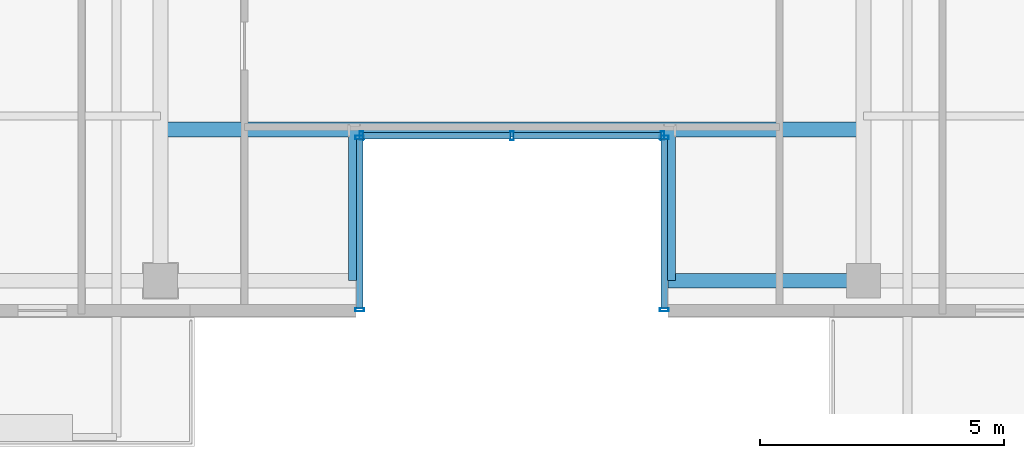
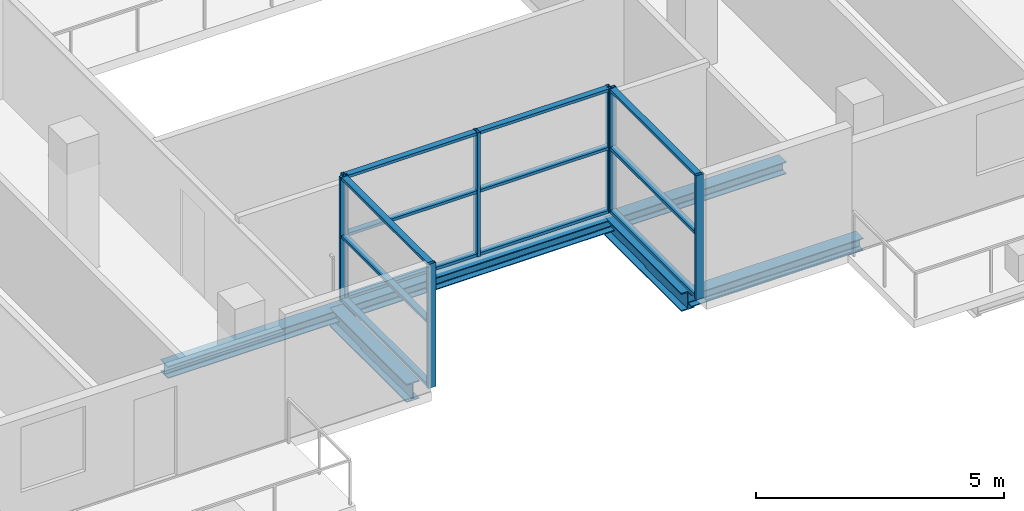
# One storey, part 5 of 23: 19 members, 4 beams, 3 elements without a shape of their own.
"""IFC4 building model written with IfcOpenShell, lengths in metres."""

import ifcopenshell
import ifcopenshell.guid

model = None  # the IFC model being written
_history = None  # IfcOwnerHistory: only IFC2X3 demands one
_inside = {}  # id of a spatial element -> (the spatial element, [elements in it])
_under = {}  # id of a project, library or spatial element -> (it, [spatial elements below it])
_declared = {}  # id of a project -> (the project, [libraries it declares])
_typed = {}  # id of a type object -> (the type object, [elements of that type])
_made_of = {}  # id of a material, layer set ... -> (it, [elements and type objects made of it])


def new_model(schema):
    """Start an empty IFC model of exactly this schema.

    Asked for "IFC4X3", IfcOpenShell would pick the latest addendum, in which some entities
    have other attributes; the version numbers below select the first issue.
    IFC2X3 requires an IfcOwnerHistory on every rooted entity: one is made here for all.
    """
    global model, _history
    if schema == "IFC4X3":
        model = ifcopenshell.file(schema_version=(4, 3, 0, 0))
    else:
        model = ifcopenshell.file(schema=schema)
    _inside.clear()
    _under.clear()
    _declared.clear()
    _typed.clear()
    _made_of.clear()
    _history = None
    if model.schema == "IFC2X3":
        org = make("IfcOrganization", Name="unknown")
        user = make(
            "IfcPersonAndOrganization",
            ThePerson=make("IfcPerson", FamilyName="unknown"),
            TheOrganization=org,
        )
        app = make(
            "IfcApplication",
            ApplicationDeveloper=org,
            Version="unknown",
            ApplicationFullName="unknown",
            ApplicationIdentifier="unknown",
        )
        _history = make(
            "IfcOwnerHistory",
            OwningUser=user,
            OwningApplication=app,
            ChangeAction="ADDED",
            CreationDate=0,
        )
    return model


def make(cls, **values):
    """One entity of the class cls with the attributes given. An attribute that is None is left unset."""
    return model.create_entity(
        cls, **{name: value for name, value in values.items() if value is not None}
    )


def rooted(cls, **values):
    """An entity with a GlobalId (a new one), such as an element, a storey or a relation."""
    return make(cls, GlobalId=ifcopenshell.guid.new(), OwnerHistory=_history, **values)


def si_unit(unit_type, name, prefix=None):
    """IfcSIUnit, for example si_unit("LENGTHUNIT", "METRE", prefix="MILLI")."""
    return make("IfcSIUnit", UnitType=unit_type, Prefix=prefix, Name=name)


def assignment(units):
    """IfcUnitAssignment: the units of a project."""
    return None if units is None else make("IfcUnitAssignment", Units=units)


def point(xyz):
    """IfcCartesianPoint."""
    return None if xyz is None else make("IfcCartesianPoint", Coordinates=xyz)


def direction(xyz):
    """IfcDirection."""
    return None if xyz is None else make("IfcDirection", DirectionRatios=xyz)


def frame(location, z_axis=None, x_axis=None):
    """IfcAxis2Placement3D, a coordinate frame: its origin and axes. An axis left out is left unset."""
    return make(
        "IfcAxis2Placement3D",
        Location=point(location),
        Axis=direction(z_axis),
        RefDirection=direction(x_axis),
    )


def frame_2d(location, x_axis=None):
    """IfcAxis2Placement2D, a coordinate frame in the plane: its origin and x axis."""
    return make(
        "IfcAxis2Placement2D", Location=point(location), RefDirection=direction(x_axis)
    )


def origin():
    """The frame at (0, 0, 0) with its axes left unset."""
    return frame((0.0, 0.0, 0.0))


def origin_2d():
    """The frame at (0, 0) in the plane with its x axis left unset."""
    return frame_2d((0.0, 0.0))


def place(relative_to, where):
    """IfcLocalPlacement: puts the frame where relative to a parent placement (None: the world)."""
    return make(
        "IfcLocalPlacement", PlacementRelTo=relative_to, RelativePlacement=where
    )


def context(
    kind, dimensions, precision=None, world=None, true_north=None, identifier=None
):
    """IfcGeometricRepresentationContext, for example the 3D "Model" context."""
    return make(
        "IfcGeometricRepresentationContext",
        ContextIdentifier=identifier,
        ContextType=kind,
        CoordinateSpaceDimension=dimensions,
        Precision=precision,
        WorldCoordinateSystem=world,
        TrueNorth=true_north,
    )


def subcontext(parent, identifier, kind, view, scale=None):
    """IfcGeometricRepresentationSubContext, for example "Body" below "Model"."""
    return make(
        "IfcGeometricRepresentationSubContext",
        ContextIdentifier=identifier,
        ContextType=kind,
        ParentContext=parent,
        TargetScale=scale,
        TargetView=view,
    )


def project(units=None, contexts=None):
    """IfcProject with its units and contexts."""
    return rooted(
        "IfcProject",
        Name="project",
        RepresentationContexts=contexts,
        UnitsInContext=assignment(units),
    )


def spatial(cls, under=None, at=None, **own):
    """A site, building, storey or space (cls), placed at a placement, below another one or the project."""
    s = rooted(cls, ObjectPlacement=at, **own)
    if under is not None:
        _under.setdefault(under.id(), (under, []))[1].append(s)
    return s


def profile(cls, at=None, kind="AREA", **sizes):
    """A parametric profile (cls). Its sizes go by their IFC names, for example OverallWidth=200.0."""
    return make(cls, ProfileType=kind, Position=at, **sizes)


def hollow_rectangle(**sizes):
    """IfcRectangleHollowProfileDef."""
    return profile("IfcRectangleHollowProfileDef", **sizes)


def i_section(**sizes):
    """IfcIShapeProfileDef."""
    return profile("IfcIShapeProfileDef", **sizes)


def extrude(swept, where, along, depth):
    """IfcExtrudedAreaSolid: the profile swept, set in the frame where, extruded along a direction by depth."""
    return make(
        "IfcExtrudedAreaSolid",
        SweptArea=swept,
        Position=where,
        ExtrudedDirection=direction(along),
        Depth=depth,
    )


def shape(context_of_items, identifier, shape_type, items):
    """IfcShapeRepresentation: the items that make up one representation, for example the "Body"."""
    return make(
        "IfcShapeRepresentation",
        ContextOfItems=context_of_items,
        RepresentationIdentifier=identifier,
        RepresentationType=shape_type,
        Items=items,
    )


def source(mapping_origin, context_of_items, identifier, shape_type, items):
    """IfcRepresentationMap: a shape defined once, which mapped items show again and again."""
    return make(
        "IfcRepresentationMap",
        MappingOrigin=mapping_origin,
        MappedRepresentation=shape(context_of_items, identifier, shape_type, items),
    )


def transform(
    local_origin,
    x_axis=None,
    y_axis=None,
    z_axis=None,
    scale=None,
    scale2=None,
    scale3=None,
    uniform=True,
):
    """IfcCartesianTransformationOperator3D, or its non-uniform kind. x_axis, y_axis, z_axis: its Axis1, 2, 3."""
    if uniform:
        return make(
            "IfcCartesianTransformationOperator3D",
            Axis1=direction(x_axis),
            Axis2=direction(y_axis),
            LocalOrigin=point(local_origin),
            Scale=scale,
            Axis3=direction(z_axis),
        )
    return make(
        "IfcCartesianTransformationOperator3DnonUniform",
        Axis1=direction(x_axis),
        Axis2=direction(y_axis),
        LocalOrigin=point(local_origin),
        Scale=scale,
        Axis3=direction(z_axis),
        Scale2=scale2,
        Scale3=scale3,
    )


def mapped(mapping_source, mapping_target):
    """IfcMappedItem: shows the shape of a source again, moved by a transform."""
    return make(
        "IfcMappedItem", MappingSource=mapping_source, MappingTarget=mapping_target
    )


def material(Name=None, Category=None):
    """IfcMaterial."""
    return make("IfcMaterial", Name=Name, Category=Category)


def layer(
    of_material, thickness, ventilated=None, Name=None, Category=None, Priority=None
):
    """IfcMaterialLayer: one layer of a wall or slab, of a material (None: an air gap)."""
    return make(
        "IfcMaterialLayer",
        Material=of_material,
        LayerThickness=thickness,
        IsVentilated=ventilated,
        Name=Name,
        Category=Category,
        Priority=Priority,
    )


def layer_set(layers, Name=None):
    """IfcMaterialLayerSet."""
    return make("IfcMaterialLayerSet", MaterialLayers=layers, LayerSetName=Name)


def material_profile(
    of_material, cross_section, Name=None, Category=None, Priority=None
):
    """IfcMaterialProfile: a cross section and its material."""
    return make(
        "IfcMaterialProfile",
        Name=Name,
        Material=of_material,
        Profile=cross_section,
        Priority=Priority,
        Category=Category,
    )


def profile_set(profiles, Name=None, composite=None):
    """IfcMaterialProfileSet."""
    return make(
        "IfcMaterialProfileSet",
        Name=Name,
        MaterialProfiles=profiles,
        CompositeProfile=composite,
    )


def made_of(thing, what):
    """Note that an element or type object is made of a material, layer set ...; save() writes the relation."""
    if what is not None:
        _made_of.setdefault(what.id(), (what, []))[1].append(thing)
    return thing


def type_object(cls, material=None, **own):
    """A type object (cls), such as IfcWallType, which elements share."""
    return made_of(rooted(cls, **own), material)


def element(
    cls,
    number,
    at=None,
    inside=None,
    cuts=None,
    type_object=None,
    material=None,
    context=None,
    identifier="Body",
    shape_type=None,
    held_by="IfcProductDefinitionShape",
    body=None,
    shapes=None,
    **own,
):
    """One element of the class cls, such as IfcWall. Its Tag is "e" and its number.

    at: its placement. inside: the storey or other place that contains it. cuts: it is an
    opening in that element (IfcRelVoidsElement). A single representation is given by context,
    identifier, shape_type and body (its items); several are given by shapes. held_by: the class
    of the entity that holds the representations. save() writes the other relations.
    """
    e = rooted(cls, Tag="e%d" % number, ObjectPlacement=at, **own)
    if body is not None:
        shapes = [shape(context, identifier, shape_type, body)]
    if shapes is not None:
        e.Representation = make(held_by, Representations=shapes)
    if inside is not None:
        _inside.setdefault(inside.id(), (inside, []))[1].append(e)
    if cuts is not None:
        rooted(
            "IfcRelVoidsElement", RelatingBuildingElement=cuts, RelatedOpeningElement=e
        )
    if type_object is not None:
        _typed.setdefault(type_object.id(), (type_object, []))[1].append(e)
    return made_of(e, material)


def aggregate(whole, parts):
    """IfcRelAggregates: a whole, such as a stair, and the parts it consists of."""
    return rooted("IfcRelAggregates", RelatingObject=whole, RelatedObjects=parts)


def save(model, path):
    """Write the relations noted so far, then the file.

    IfcRelAggregates (storeys below a building ...), IfcRelContainedInSpatialStructure (elements
    in a storey), IfcRelDefinesByType, IfcRelAssociatesMaterial and IfcRelDeclares: one each for
    every whole, place, type object, material and project.
    """
    for whole, parts in _under.values():
        aggregate(whole, parts)
    for where, things in _inside.values():
        rooted(
            "IfcRelContainedInSpatialStructure",
            RelatedElements=things,
            RelatingStructure=where,
        )
    for kind, things in _typed.values():
        rooted("IfcRelDefinesByType", RelatedObjects=things, RelatingType=kind)
    for what, things in _made_of.values():
        rooted("IfcRelAssociatesMaterial", RelatedObjects=things, RelatingMaterial=what)
    for by, libraries in _declared.values():
        rooted("IfcRelDeclares", RelatingContext=by, RelatedDefinitions=libraries)
    model.write(path)


model = new_model("IFC4")

# Units and contexts
model_context = context("Model", 3, precision=1e-05, world=origin(), true_north=direction((0.0, 1.0)))
body_context = subcontext(model_context, "Body", "Model", "MODEL_VIEW")
ifc_project = project(units=[si_unit("LENGTHUNIT", "METRE"), si_unit("AREAUNIT", "SQUARE_METRE"), si_unit("VOLUMEUNIT", "CUBIC_METRE"), si_unit("PLANEANGLEUNIT", "RADIAN"), si_unit("MASSUNIT", "GRAM", prefix="KILO")], contexts=[model_context])

# Site, building, storey
site_placement = place(None, origin())
site = spatial("IfcSite", under=ifc_project, at=site_placement, CompositionType="ELEMENT")
building_placement = place(site_placement, origin())
building = spatial("IfcBuilding", under=site, at=building_placement, Name="Zarnakvel Exchange Tower", CompositionType="ELEMENT")
storey_placement = place(building_placement, frame((0.0, 0.0, 232.0)))
storey = spatial("IfcBuildingStorey", under=building, at=storey_placement, Name="L65", CompositionType="ELEMENT", Elevation=232.0)

# Beams
ifc_material_1 = material(Name="Steel S355", Category="steel")
ifc_material_profile_1 = material_profile(ifc_material_1, i_section(OverallWidth=0.300048828125, OverallDepth=0.449951171875, WebThickness=0.013916015625, FlangeThickness=0.02587890625, FilletRadius=0.027099609375, at=origin_2d()))
ifc_profile_set_1 = profile_set([ifc_material_profile_1], Name="Steel S355")
beam_type_1 = type_object("IfcBeamType", Name="G-07", PredefinedType="BEAM", material=ifc_profile_set_1)
for number, where, z_axis, x_axis, name in (
    (1, (-3.199951171875, -16.35009765625, -0.449951171875), (0.0, 1.0, 0.0), (-1.0, 0.0, 0.0), "L65 South Slot West Cheek Beam"),
    (2, (3.199951171875, -16.35009765625, -0.449951171875), (0.0, 1.0, 0.0), (-1.0, 0.0, 0.0), "L65 South Slot East Cheek Beam"),
):
    element("IfcBeam", number, at=place(storey_placement, frame(where, z_axis=z_axis, x_axis=x_axis)), inside=storey, type_object=beam_type_1, Name=name, PredefinedType="BEAM", context=body_context, shape_type="SweptSolid", body=[
        extrude(i_section(OverallWidth=0.300048828125, OverallDepth=0.449951171875, WebThickness=0.013916015625, FlangeThickness=0.02587890625, FilletRadius=0.027099609375, at=origin_2d()), origin(), (0.0, 0.0, 1.0), 3.10009765625),
    ])
ifc_material_profile_2 = material_profile(ifc_material_1, i_section(OverallWidth=0.300048828125, OverallDepth=0.300048828125, WebThickness=0.010986328125, FlangeThickness=0.01904296875, FilletRadius=0.027099609375, at=origin_2d()))
ifc_profile_set_2 = profile_set([ifc_material_profile_2], Name="Steel S355")
beam_type_2 = type_object("IfcBeamType", Name="SP-03", PredefinedType="SPANDREL", material=ifc_profile_set_2)
beam_1_placement = place(storey_placement, frame((3.199951171875, -16.35009765625, -0.375), z_axis=(1.0, 0.0, 0.0), x_axis=(0.0, 1.0, 0.0)))
element("IfcBeam", 3, at=beam_1_placement, inside=storey, type_object=beam_type_2, Name="L65 South Slot East Jamb Spandrel", PredefinedType="SPANDREL", context=body_context, shape_type="SweptSolid", body=[
    extrude(i_section(OverallWidth=0.300048828125, OverallDepth=0.300048828125, WebThickness=0.010986328125, FlangeThickness=0.01904296875, FilletRadius=0.027099609375, at=origin_2d()), origin(), (0.0, 0.0, 1.0), 4.0),
])
beam_2_placement = place(storey_placement, frame((-7.199951171875, -13.25, -0.375), z_axis=(1.0, 0.0, 0.0), x_axis=(0.0, 1.0, 0.0)))
element("IfcBeam", 4, at=beam_2_placement, inside=storey, type_object=beam_type_2, Name="L65 South Slot Head Trimmer Girder", PredefinedType="SPANDREL", context=body_context, shape_type="SweptSolid", body=[
    extrude(i_section(OverallWidth=0.300048828125, OverallDepth=0.300048828125, WebThickness=0.010986328125, FlangeThickness=0.01904296875, FilletRadius=0.027099609375, at=origin_2d()), origin(), (0.0, 0.0, 1.0), 14.39990234375),
])

# Curtain wall, members
ifc_material_2 = material(Name="Architectural Bronze Anodised Aluminium", Category="aluminium")
ifc_layer = layer(ifc_material_2, 0.179931640625)
ifc_layer_set = layer_set([ifc_layer], Name="Architectural Bronze Anodised Aluminium")
curtain_wall_type = type_object("IfcCurtainWallType", Name="CW-05", PredefinedType="NOTDEFINED", material=ifc_layer_set)
curtain_wall_1_placement = place(storey_placement, origin())
curtain_wall_1 = element("IfcCurtainWall", 5, at=curtain_wall_1_placement, inside=storey, type_object=curtain_wall_type, Name="L65 Curtain Wall CW-L65-SLW (CW-05)", PredefinedType="NOTDEFINED")
ifc_material_profile_3 = material_profile(ifc_material_2, hollow_rectangle(XDim=0.139892578125, YDim=0.070068359375, WallThickness=0.00390625, at=origin_2d()))
ifc_profile_set_3 = profile_set([ifc_material_profile_3], Name="Architectural Bronze Anodised Aluminium")
member_type_1 = type_object("IfcMemberType", Name="CWT-05", PredefinedType="USERDEFINED", material=ifc_profile_set_3)
shared_shape_1 = source(origin(), body_context, "Body", "SweptSolid", [
    extrude(hollow_rectangle(XDim=0.139892578125, YDim=0.070068359375, WallThickness=0.00390625, at=origin_2d()), origin(), (0.0, 0.0, 1.0), 3.4599609375),
])
member_1_placement = place(storey_placement, frame((-3.1201171875, -16.909912109375, 0.034912109375), z_axis=(0.0, 1.0, 0.0), x_axis=(-1.0, 0.0, 0.0)))
member_1 = element("IfcMember", 6, at=member_1_placement, type_object=member_type_1, Name="CW-05 transom 1.1", ObjectType="TRANSOM", PredefinedType="USERDEFINED", context=body_context, shape_type="MappedRepresentation", body=[
    mapped(shared_shape_1, transform((0.0, 0.0, 0.0), x_axis=(1.0, 0.0, 0.0), y_axis=(0.0, 1.0, 0.0), z_axis=(0.0, 0.0, 1.0), scale=1.0)),
])
member_2_placement = place(storey_placement, frame((-3.1201171875, -16.909912109375, 1.588623046875), z_axis=(0.0, 1.0, 0.0), x_axis=(-1.0, 0.0, 0.0)))
member_2 = element("IfcMember", 7, at=member_2_placement, type_object=member_type_1, Name="CW-05 transom 1.2", ObjectType="TRANSOM", PredefinedType="USERDEFINED", context=body_context, shape_type="MappedRepresentation", body=[
    mapped(shared_shape_1, transform((0.0, 0.0, 0.0), x_axis=(1.0, 0.0, 0.0), y_axis=(0.0, 1.0, 0.0), z_axis=(0.0, 0.0, 1.0), scale=1.0)),
])
member_3_placement = place(storey_placement, frame((-3.1201171875, -16.909912109375, 3.02001953125), z_axis=(0.0, 1.0, 0.0), x_axis=(-1.0, 0.0, 0.0)))
member_3 = element("IfcMember", 8, at=member_3_placement, type_object=member_type_1, Name="CW-05 transom 1.3", ObjectType="TRANSOM", PredefinedType="USERDEFINED", context=body_context, shape_type="MappedRepresentation", body=[
    mapped(shared_shape_1, transform((0.0, 0.0, 0.0), x_axis=(1.0, 0.0, 0.0), y_axis=(0.0, 1.0, 0.0), z_axis=(0.0, 0.0, 1.0), scale=1.0)),
])

curtain_wall_2_placement = place(storey_placement, origin())
curtain_wall_2 = element("IfcCurtainWall", 9, at=curtain_wall_2_placement, inside=storey, type_object=curtain_wall_type, Name="L65 Curtain Wall CW-L65-SLE (CW-05)", PredefinedType="NOTDEFINED")
member_4_placement = place(storey_placement, frame((3.1201171875, -13.449951171875, 0.034912109375), z_axis=(0.0, -1.0, 0.0), x_axis=(1.0, 0.0, 0.0)))
member_4 = element("IfcMember", 10, at=member_4_placement, type_object=member_type_1, Name="CW-05 transom 1.1", ObjectType="TRANSOM", PredefinedType="USERDEFINED", context=body_context, shape_type="MappedRepresentation", body=[
    mapped(shared_shape_1, transform((0.0, 0.0, 0.0), x_axis=(1.0, 0.0, 0.0), y_axis=(0.0, 1.0, 0.0), z_axis=(0.0, 0.0, 1.0), scale=1.0)),
])
member_5_placement = place(storey_placement, frame((3.1201171875, -13.449951171875, 1.588623046875), z_axis=(0.0, -1.0, 0.0), x_axis=(1.0, 0.0, 0.0)))
member_5 = element("IfcMember", 11, at=member_5_placement, type_object=member_type_1, Name="CW-05 transom 1.2", ObjectType="TRANSOM", PredefinedType="USERDEFINED", context=body_context, shape_type="MappedRepresentation", body=[
    mapped(shared_shape_1, transform((0.0, 0.0, 0.0), x_axis=(1.0, 0.0, 0.0), y_axis=(0.0, 1.0, 0.0), z_axis=(0.0, 0.0, 1.0), scale=1.0)),
])
member_6_placement = place(storey_placement, frame((3.1201171875, -13.449951171875, 3.02001953125), z_axis=(0.0, -1.0, 0.0), x_axis=(1.0, 0.0, 0.0)))
member_6 = element("IfcMember", 12, at=member_6_placement, type_object=member_type_1, Name="CW-05 transom 1.3", ObjectType="TRANSOM", PredefinedType="USERDEFINED", context=body_context, shape_type="MappedRepresentation", body=[
    mapped(shared_shape_1, transform((0.0, 0.0, 0.0), x_axis=(1.0, 0.0, 0.0), y_axis=(0.0, 1.0, 0.0), z_axis=(0.0, 0.0, 1.0), scale=1.0)),
])

curtain_wall_3_placement = place(storey_placement, origin())
curtain_wall_3 = element("IfcCurtainWall", 13, at=curtain_wall_3_placement, inside=storey, type_object=curtain_wall_type, Name="L65 Curtain Wall CW-L65-SLB (CW-05)", PredefinedType="NOTDEFINED")
shared_shape_2 = source(origin(), body_context, "Body", "SweptSolid", [
    extrude(hollow_rectangle(XDim=0.139892578125, YDim=0.070068359375, WallThickness=0.00390625, at=origin_2d()), origin(), (0.0, 0.0, 1.0), 3.01513671875),
])
member_7_placement = place(storey_placement, frame((-3.050048828125, -13.3798828125, 0.034912109375), z_axis=(1.0, 0.0, 0.0), x_axis=(0.0, 1.0, 0.0)))
member_7 = element("IfcMember", 14, at=member_7_placement, type_object=member_type_1, Name="CW-05 transom 1.1", ObjectType="TRANSOM", PredefinedType="USERDEFINED", context=body_context, shape_type="MappedRepresentation", body=[
    mapped(shared_shape_2, transform((0.0, 0.0, 0.0), x_axis=(1.0, 0.0, 0.0), y_axis=(0.0, 1.0, 0.0), z_axis=(0.0, 0.0, 1.0), scale=1.0)),
])
member_8_placement = place(storey_placement, frame((-3.050048828125, -13.3798828125, 1.588623046875), z_axis=(1.0, 0.0, 0.0), x_axis=(0.0, 1.0, 0.0)))
member_8 = element("IfcMember", 15, at=member_8_placement, type_object=member_type_1, Name="CW-05 transom 1.2", ObjectType="TRANSOM", PredefinedType="USERDEFINED", context=body_context, shape_type="MappedRepresentation", body=[
    mapped(shared_shape_2, transform((0.0, 0.0, 0.0), x_axis=(1.0, 0.0, 0.0), y_axis=(0.0, 1.0, 0.0), z_axis=(0.0, 0.0, 1.0), scale=1.0)),
])
member_9_placement = place(storey_placement, frame((-3.050048828125, -13.3798828125, 3.02001953125), z_axis=(1.0, 0.0, 0.0), x_axis=(0.0, 1.0, 0.0)))
member_9 = element("IfcMember", 16, at=member_9_placement, type_object=member_type_1, Name="CW-05 transom 1.3", ObjectType="TRANSOM", PredefinedType="USERDEFINED", context=body_context, shape_type="MappedRepresentation", body=[
    mapped(shared_shape_2, transform((0.0, 0.0, 0.0), x_axis=(1.0, 0.0, 0.0), y_axis=(0.0, 1.0, 0.0), z_axis=(0.0, 0.0, 1.0), scale=1.0)),
])
member_10_placement = place(storey_placement, frame((0.034912109375, -13.3798828125, 0.034912109375), z_axis=(1.0, 0.0, 0.0), x_axis=(0.0, 1.0, 0.0)))
member_10 = element("IfcMember", 17, at=member_10_placement, type_object=member_type_1, Name="CW-05 transom 2.1", ObjectType="TRANSOM", PredefinedType="USERDEFINED", context=body_context, shape_type="MappedRepresentation", body=[
    mapped(shared_shape_2, transform((0.0, 0.0, 0.0), x_axis=(1.0, 0.0, 0.0), y_axis=(0.0, 1.0, 0.0), z_axis=(0.0, 0.0, 1.0), scale=1.0)),
])
member_11_placement = place(storey_placement, frame((0.034912109375, -13.3798828125, 1.588623046875), z_axis=(1.0, 0.0, 0.0), x_axis=(0.0, 1.0, 0.0)))
member_11 = element("IfcMember", 18, at=member_11_placement, type_object=member_type_1, Name="CW-05 transom 2.2", ObjectType="TRANSOM", PredefinedType="USERDEFINED", context=body_context, shape_type="MappedRepresentation", body=[
    mapped(shared_shape_2, transform((0.0, 0.0, 0.0), x_axis=(1.0, 0.0, 0.0), y_axis=(0.0, 1.0, 0.0), z_axis=(0.0, 0.0, 1.0), scale=1.0)),
])
member_12_placement = place(storey_placement, frame((0.034912109375, -13.3798828125, 3.02001953125), z_axis=(1.0, 0.0, 0.0), x_axis=(0.0, 1.0, 0.0)))
member_12 = element("IfcMember", 19, at=member_12_placement, type_object=member_type_1, Name="CW-05 transom 2.3", ObjectType="TRANSOM", PredefinedType="USERDEFINED", context=body_context, shape_type="MappedRepresentation", body=[
    mapped(shared_shape_2, transform((0.0, 0.0, 0.0), x_axis=(1.0, 0.0, 0.0), y_axis=(0.0, 1.0, 0.0), z_axis=(0.0, 0.0, 1.0), scale=1.0)),
])

# Member
ifc_material_profile_4 = material_profile(ifc_material_2, hollow_rectangle(XDim=0.179931640625, YDim=0.070068359375, WallThickness=0.00390625, at=origin_2d()))
ifc_profile_set_4 = profile_set([ifc_material_profile_4], Name="Architectural Bronze Anodised Aluminium")
member_type_2 = type_object("IfcMemberType", Name="CWM-05", PredefinedType="MULLION", material=ifc_profile_set_4)
shared_shape_3 = source(origin(), body_context, "Body", "SweptSolid", [
    extrude(hollow_rectangle(XDim=0.179931640625, YDim=0.070068359375, WallThickness=0.00390625, at=origin_2d()), origin(), (0.0, 0.0, 1.0), 3.054931640625),
])
member_13_placement = place(storey_placement, frame((-3.1201171875, -16.945068359375, 0.0), z_axis=(0.0, 0.0, 1.0), x_axis=(-1.0, 0.0, 0.0)))
member_13 = element("IfcMember", 20, at=member_13_placement, type_object=member_type_2, Name="CW-05 mullion 1", PredefinedType="MULLION", context=body_context, shape_type="MappedRepresentation", body=[
    mapped(shared_shape_3, transform((0.0, 0.0, 0.0), x_axis=(1.0, 0.0, 0.0), y_axis=(0.0, 1.0, 0.0), z_axis=(0.0, 0.0, 1.0), scale=1.0)),
])

member_14_placement = place(storey_placement, frame((-3.1201171875, -13.4150390625, 0.0), z_axis=(0.0, 0.0, 1.0), x_axis=(-1.0, 0.0, 0.0)))
member_14 = element("IfcMember", 21, at=member_14_placement, type_object=member_type_2, Name="CW-05 mullion 2", PredefinedType="MULLION", context=body_context, shape_type="MappedRepresentation", body=[
    mapped(shared_shape_3, transform((0.0, 0.0, 0.0), x_axis=(1.0, 0.0, 0.0), y_axis=(0.0, 1.0, 0.0), z_axis=(0.0, 0.0, 1.0), scale=1.0)),
])

aggregate(curtain_wall_1, [member_13, member_14, member_1, member_2, member_3])

member_15_placement = place(storey_placement, frame((-3.0849609375, -13.3798828125, 0.0), z_axis=(0.0, 0.0, 1.0), x_axis=(0.0, 1.0, 0.0)))
member_15 = element("IfcMember", 22, at=member_15_placement, type_object=member_type_2, Name="CW-05 mullion 1", PredefinedType="MULLION", context=body_context, shape_type="MappedRepresentation", body=[
    mapped(shared_shape_3, transform((0.0, 0.0, 0.0), x_axis=(1.0, 0.0, 0.0), y_axis=(0.0, 1.0, 0.0), z_axis=(0.0, 0.0, 1.0), scale=1.0)),
])

member_16_placement = place(storey_placement, frame((0.0, -13.3798828125, 0.0), z_axis=(0.0, 0.0, 1.0), x_axis=(0.0, 1.0, 0.0)))
member_16 = element("IfcMember", 23, at=member_16_placement, type_object=member_type_2, Name="CW-05 mullion 2", PredefinedType="MULLION", context=body_context, shape_type="MappedRepresentation", body=[
    mapped(shared_shape_3, transform((0.0, 0.0, 0.0), x_axis=(1.0, 0.0, 0.0), y_axis=(0.0, 1.0, 0.0), z_axis=(0.0, 0.0, 1.0), scale=1.0)),
])

member_17_placement = place(storey_placement, frame((3.0849609375, -13.3798828125, 0.0), z_axis=(0.0, 0.0, 1.0), x_axis=(0.0, 1.0, 0.0)))
member_17 = element("IfcMember", 24, at=member_17_placement, type_object=member_type_2, Name="CW-05 mullion 3", PredefinedType="MULLION", context=body_context, shape_type="MappedRepresentation", body=[
    mapped(shared_shape_3, transform((0.0, 0.0, 0.0), x_axis=(1.0, 0.0, 0.0), y_axis=(0.0, 1.0, 0.0), z_axis=(0.0, 0.0, 1.0), scale=1.0)),
])

aggregate(curtain_wall_3, [member_15, member_16, member_17, member_7, member_8, member_9, member_10, member_11, member_12])

member_18_placement = place(storey_placement, frame((3.1201171875, -13.4150390625, 0.0), z_axis=(0.0, 0.0, 1.0), x_axis=(1.0, 0.0, 0.0)))
member_18 = element("IfcMember", 25, at=member_18_placement, type_object=member_type_2, Name="CW-05 mullion 1", PredefinedType="MULLION", context=body_context, shape_type="MappedRepresentation", body=[
    mapped(shared_shape_3, transform((0.0, 0.0, 0.0), x_axis=(1.0, 0.0, 0.0), y_axis=(0.0, 1.0, 0.0), z_axis=(0.0, 0.0, 1.0), scale=1.0)),
])

member_19_placement = place(storey_placement, frame((3.1201171875, -16.945068359375, 0.0), z_axis=(0.0, 0.0, 1.0), x_axis=(1.0, 0.0, 0.0)))
member_19 = element("IfcMember", 26, at=member_19_placement, type_object=member_type_2, Name="CW-05 mullion 2", PredefinedType="MULLION", context=body_context, shape_type="MappedRepresentation", body=[
    mapped(shared_shape_3, transform((0.0, 0.0, 0.0), x_axis=(1.0, 0.0, 0.0), y_axis=(0.0, 1.0, 0.0), z_axis=(0.0, 0.0, 1.0), scale=1.0)),
])

aggregate(curtain_wall_2, [member_18, member_19, member_4, member_5, member_6])

save(model, "model.ifc")
